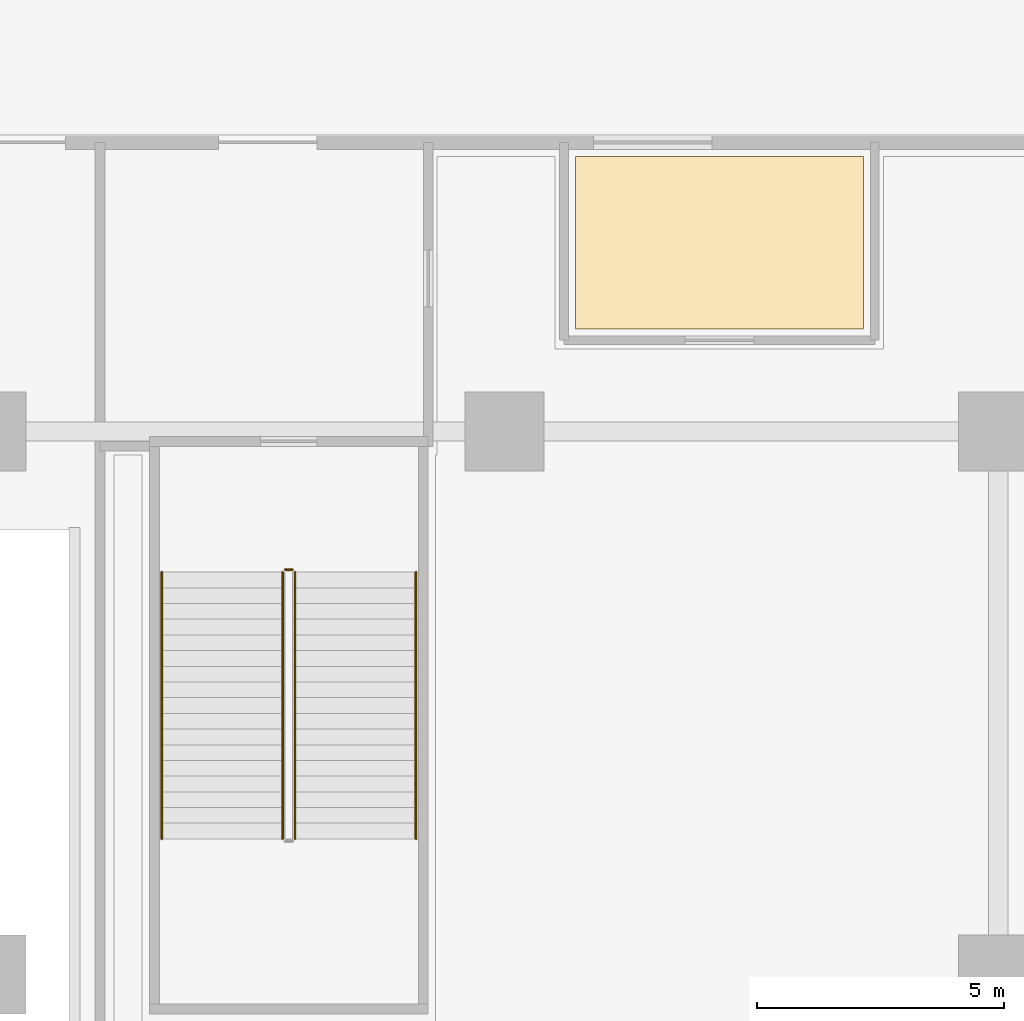
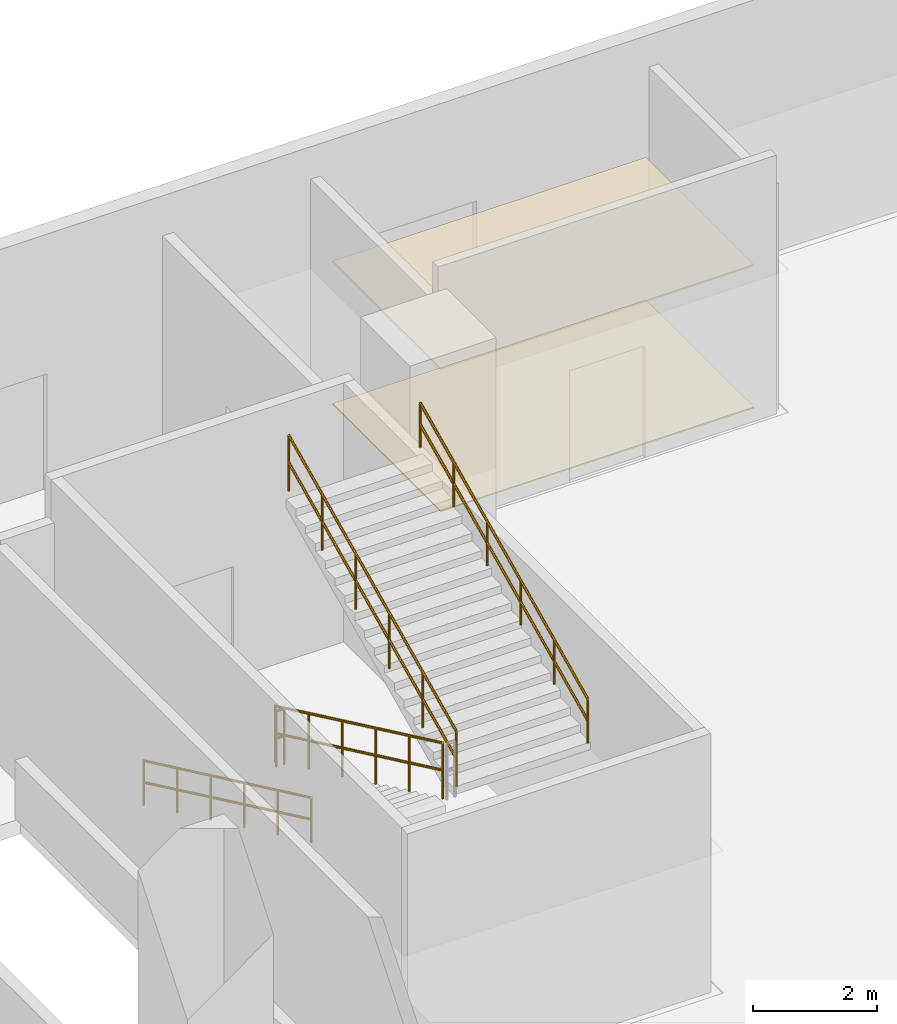
# One storey, part 11 of 15: 5 railings, 2 coverings.
"""IFC4 building model written with IfcOpenShell, lengths in metres."""

from ifc_helpers import new_model, si_unit, direction, frame, origin, origin_2d, place, context, subcontext, project, spatial, polyline, circle, outline, extrude, material, layer, layer_set, type_object, element, save


model = new_model("IFC4")

# Units and contexts
model_context = context("Model", 3, precision=1e-05, world=origin(), true_north=direction((0.0, 1.0)))
body_context = subcontext(model_context, "Body", "Model", "MODEL_VIEW")
ifc_project = project(units=[si_unit("LENGTHUNIT", "METRE"), si_unit("AREAUNIT", "SQUARE_METRE"), si_unit("VOLUMEUNIT", "CUBIC_METRE"), si_unit("PLANEANGLEUNIT", "RADIAN"), si_unit("MASSUNIT", "GRAM", prefix="KILO")], contexts=[model_context])

# Site, building, storey
site_placement = place(None, origin())
site = spatial("IfcSite", under=ifc_project, at=site_placement, CompositionType="ELEMENT")
building_placement = place(site_placement, origin())
building = spatial("IfcBuilding", under=site, at=building_placement, Name="Solmavex Isthmus Hotel", CompositionType="ELEMENT")
storey_placement = place(building_placement, origin())
storey = spatial("IfcBuildingStorey", under=building, at=storey_placement, Name="L01", CompositionType="ELEMENT", Elevation=0.0)

# Coverings
ifc_material_1 = material(Name="Gypsum plasterboard lining", Category="gypsum")
ifc_layer_1 = layer(ifc_material_1, 0.030029296875)
ifc_layer_set_1 = layer_set([ifc_layer_1], Name="Gypsum plasterboard lining")
covering_type_1 = type_object("IfcCoveringType", Name="COV-CEIL-GYP", PredefinedType="CEILING", material=ifc_layer_set_1)
covering_1_placement = place(storey_placement, frame((0.0, 0.0, 2.800048828125)))
element("IfcCovering", 1, at=covering_1_placement, inside=storey, type_object=covering_type_1, Name="Suspended Acoustic Ceiling L01-BTQ", PredefinedType="CEILING", context=body_context, shape_type="SweptSolid", body=[
    extrude(outline(polyline([(-10.72998046875, 19.580078125), (-10.72998046875, 23.070068359375), (-16.570068359375, 23.070068359375), (-16.570068359375, 19.580078125), (-10.72998046875, 19.580078125)])), origin(), (0.0, 0.0, 1.0), 0.030029296875),
])
ifc_material_2 = material(Name="Travertine natural stone", Category="masonry")
ifc_layer_2 = layer(ifc_material_2, 0.02490234375)
ifc_layer_set_2 = layer_set([ifc_layer_2], Name="Travertine natural stone")
covering_type_2 = type_object("IfcCoveringType", Name="COV-FLOR-STN", PredefinedType="FLOORING", material=ifc_layer_set_2)
covering_2_placement = place(storey_placement, origin())
element("IfcCovering", 2, at=covering_2_placement, inside=storey, type_object=covering_type_2, Name="Stone and Timber Floor Finish L01-BTQ", PredefinedType="FLOORING", context=body_context, shape_type="SweptSolid", body=[
    extrude(outline(polyline([(-10.72998046875, 19.580078125), (-10.72998046875, 23.070068359375), (-16.570068359375, 23.070068359375), (-16.570068359375, 19.580078125), (-10.72998046875, 19.580078125)])), origin(), (0.0, 0.0, 1.0), 0.02490234375),
])

# Railings
ifc_material_3 = material(Name="Stainless steel 316", Category="steel")
ifc_layer_3 = layer(ifc_material_3, 0.06005859375)
ifc_layer_set_3 = layer_set([ifc_layer_3], Name="Stainless steel 316")
railing_type_1 = type_object("IfcRailingType", Name="RAIL-STAIR-GD", PredefinedType="GUARDRAIL", material=ifc_layer_set_3)
railing_1_placement = place(storey_placement, frame((-22.5, 14.64990234375, 0.14990234375)))
element("IfcRailing", 3, at=railing_1_placement, inside=storey, type_object=railing_type_1, Name="L01 ST-4 stair guard 1", PredefinedType="GUARDRAIL", context=body_context, shape_type="SweptSolid", body=[
    extrude(circle(Radius=0.02392578125, at=origin_2d()), frame((0.0, 0.0, 1.09619140625), z_axis=(0.0, -0.904428618924, 0.426624979662), x_axis=(1.0, 0.0, 0.0)), (0.0, 0.0, 1.0), 5.977294921875),
    extrude(circle(Radius=0.02392578125, at=origin_2d()), frame((0.0, 0.0, 0.56005859375), z_axis=(0.0, -0.904428618924, 0.426624979662), x_axis=(1.0, 0.0, 0.0)), (0.0, 0.0, 1.0), 5.977294921875),
    extrude(circle(Radius=0.02099609375, at=origin_2d()), origin(), (0.0, 0.0, 1.0), 1.072021484375),
    extrude(circle(Radius=0.02099609375, at=origin_2d()), frame((0.0, -1.081298828125, 0.510009765625)), (0.0, 0.0, 1.0), 1.072021484375),
    extrude(circle(Radius=0.02099609375, at=origin_2d()), frame((0.0, -2.162353515625, 1.02001953125)), (0.0, 0.0, 1.0), 1.072021484375),
    extrude(circle(Radius=0.02099609375, at=origin_2d()), frame((0.0, -3.24365234375, 1.530029296875)), (0.0, 0.0, 1.0), 1.072021484375),
    extrude(circle(Radius=0.02099609375, at=origin_2d()), frame((0.0, -4.32470703125, 2.0400390625)), (0.0, 0.0, 1.0), 1.072021484375),
    extrude(circle(Radius=0.02099609375, at=origin_2d()), frame((0.0, -5.406005859375, 2.550048828125)), (0.0, 0.0, 1.0), 1.072021484375),
])
railing_2_placement = place(storey_placement, frame((-22.25, 9.243896484375, 2.85009765625)))
element("IfcRailing", 4, at=railing_2_placement, inside=storey, type_object=railing_type_1, Name="L01 ST-4 stair guard 3", PredefinedType="GUARDRAIL", context=body_context, shape_type="SweptSolid", body=[
    extrude(circle(Radius=0.02392578125, at=origin_2d()), frame((0.0, 0.0, 1.09619140625), z_axis=(0.0, 0.904444378661, 0.426591568023), x_axis=(-1.0, 0.0, 0.0)), (0.0, 0.0, 1.0), 5.97705078125),
    extrude(circle(Radius=0.02392578125, at=origin_2d()), frame((0.0, 0.0, 0.56005859375), z_axis=(0.0, 0.904444378661, 0.426591568023), x_axis=(-1.0, 0.0, 0.0)), (0.0, 0.0, 1.0), 5.97705078125),
    extrude(circle(Radius=0.02099609375, at=origin_2d()), origin(), (0.0, 0.0, 1.0), 1.072021484375),
    extrude(circle(Radius=0.02099609375, at=origin_2d()), frame((0.0, 1.081298828125, 0.510009765625)), (0.0, 0.0, 1.0), 1.072021484375),
    extrude(circle(Radius=0.02099609375, at=origin_2d()), frame((0.0, 2.162353515625, 1.02001953125)), (0.0, 0.0, 1.0), 1.072021484375),
    extrude(circle(Radius=0.02099609375, at=origin_2d()), frame((0.0, 3.24365234375, 1.52978515625)), (0.0, 0.0, 1.0), 1.072021484375),
    extrude(circle(Radius=0.02099609375, at=origin_2d()), frame((0.0, 4.32470703125, 2.039794921875)), (0.0, 0.0, 1.0), 1.072021484375),
    extrude(circle(Radius=0.02099609375, at=origin_2d()), frame((0.0, 5.406005859375, 2.5498046875)), (0.0, 0.0, 1.0), 1.072021484375),
])
railing_3_placement = place(storey_placement, frame((-22.449951171875, 14.699951171875, 0.0)))
element("IfcRailing", 5, at=railing_3_placement, inside=storey, type_object=railing_type_1, Name="L01 ST-4 stair guard 4", PredefinedType="GUARDRAIL", context=body_context, shape_type="SweptSolid", body=[
    extrude(circle(Radius=0.02392578125, at=origin_2d()), frame((0.0, 0.0, 1.09619140625), z_axis=(1.0, 0.0, 0.0), x_axis=(0.0, 1.0, 0.0)), (0.0, 0.0, 1.0), 0.14990234375),
    extrude(circle(Radius=0.02392578125, at=origin_2d()), frame((0.0, 0.0, 0.56005859375), z_axis=(1.0, 0.0, 0.0), x_axis=(0.0, 1.0, 0.0)), (0.0, 0.0, 1.0), 0.14990234375),
    extrude(circle(Radius=0.02099609375, at=origin_2d()), origin(), (0.0, 0.0, 1.0), 1.072021484375),
    extrude(circle(Radius=0.02099609375, at=origin_2d()), frame((0.14990234375, 0.0, 0.0)), (0.0, 0.0, 1.0), 1.072021484375),
])
ifc_layer_4 = layer(ifc_material_3, 0.050048828125)
ifc_layer_set_4 = layer_set([ifc_layer_4], Name="Stainless steel 316")
railing_type_2 = type_object("IfcRailingType", Name="RAIL-STAIR-HR", PredefinedType="HANDRAIL", material=ifc_layer_set_4)
railing_4_placement = place(storey_placement, frame((-24.949951171875, 14.64990234375, 0.14990234375)))
element("IfcRailing", 6, at=railing_4_placement, inside=storey, type_object=railing_type_2, Name="L01 ST-4 stair handrail 1", PredefinedType="HANDRAIL", context=body_context, shape_type="SweptSolid", body=[
    extrude(circle(Radius=0.02392578125, at=origin_2d()), frame((0.0, 0.0, 0.8759765625), z_axis=(0.0, -0.904428618924, 0.426624979662), x_axis=(1.0, 0.0, 0.0)), (0.0, 0.0, 1.0), 5.977294921875),
    extrude(circle(Radius=0.02392578125, at=origin_2d()), frame((0.0, 0.0, 0.449951171875), z_axis=(0.0, -0.904428618924, 0.426624979662), x_axis=(1.0, 0.0, 0.0)), (0.0, 0.0, 1.0), 5.977294921875),
    extrude(circle(Radius=0.02099609375, at=origin_2d()), origin(), (0.0, 0.0, 1.0), 0.851806640625),
    extrude(circle(Radius=0.02099609375, at=origin_2d()), frame((0.0, -1.081298828125, 0.510009765625)), (0.0, 0.0, 1.0), 0.851806640625),
    extrude(circle(Radius=0.02099609375, at=origin_2d()), frame((0.0, -2.162353515625, 1.02001953125)), (0.0, 0.0, 1.0), 0.851806640625),
    extrude(circle(Radius=0.02099609375, at=origin_2d()), frame((0.0, -3.24365234375, 1.530029296875)), (0.0, 0.0, 1.0), 0.851806640625),
    extrude(circle(Radius=0.02099609375, at=origin_2d()), frame((0.0, -4.32470703125, 2.0400390625)), (0.0, 0.0, 1.0), 0.851806640625),
    extrude(circle(Radius=0.02099609375, at=origin_2d()), frame((0.0, -5.406005859375, 2.550048828125)), (0.0, 0.0, 1.0), 0.851806640625),
])
railing_5_placement = place(storey_placement, frame((-19.800048828125, 9.243896484375, 2.85009765625)))
element("IfcRailing", 7, at=railing_5_placement, inside=storey, type_object=railing_type_2, Name="L01 ST-4 stair handrail 2", PredefinedType="HANDRAIL", context=body_context, shape_type="SweptSolid", body=[
    extrude(circle(Radius=0.02392578125, at=origin_2d()), frame((0.0, 0.0, 0.8759765625), z_axis=(0.0, 0.904444378661, 0.426591568023), x_axis=(-1.0, 0.0, 0.0)), (0.0, 0.0, 1.0), 5.97705078125),
    extrude(circle(Radius=0.02392578125, at=origin_2d()), frame((0.0, 0.0, 0.449951171875), z_axis=(0.0, 0.904444378661, 0.426591568023), x_axis=(-1.0, 0.0, 0.0)), (0.0, 0.0, 1.0), 5.97705078125),
    extrude(circle(Radius=0.02099609375, at=origin_2d()), origin(), (0.0, 0.0, 1.0), 0.851806640625),
    extrude(circle(Radius=0.02099609375, at=origin_2d()), frame((0.0, 1.081298828125, 0.510009765625)), (0.0, 0.0, 1.0), 0.851806640625),
    extrude(circle(Radius=0.02099609375, at=origin_2d()), frame((0.0, 2.162353515625, 1.02001953125)), (0.0, 0.0, 1.0), 0.851806640625),
    extrude(circle(Radius=0.02099609375, at=origin_2d()), frame((0.0, 3.24365234375, 1.52978515625)), (0.0, 0.0, 1.0), 0.851806640625),
    extrude(circle(Radius=0.02099609375, at=origin_2d()), frame((0.0, 4.32470703125, 2.039794921875)), (0.0, 0.0, 1.0), 0.851806640625),
    extrude(circle(Radius=0.02099609375, at=origin_2d()), frame((0.0, 5.406005859375, 2.5498046875)), (0.0, 0.0, 1.0), 0.851806640625),
])

save(model, "model.ifc")
